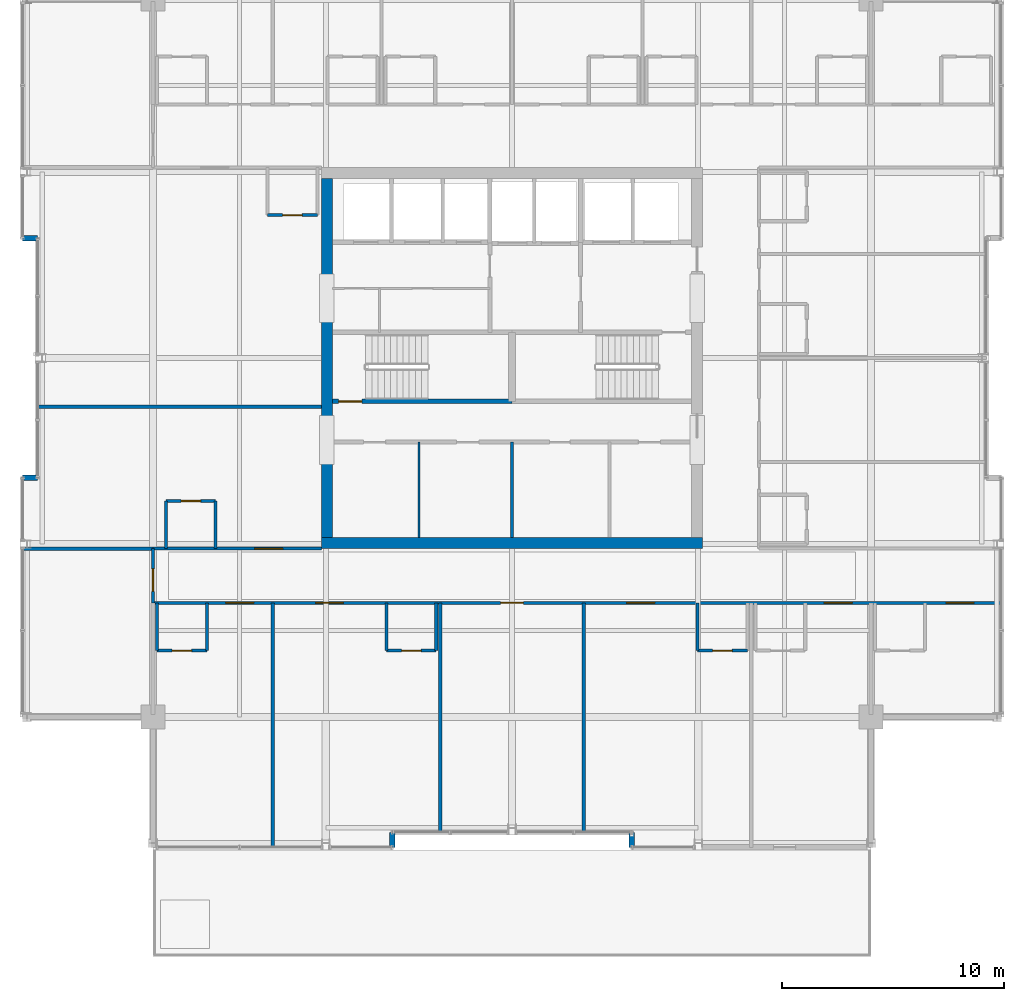
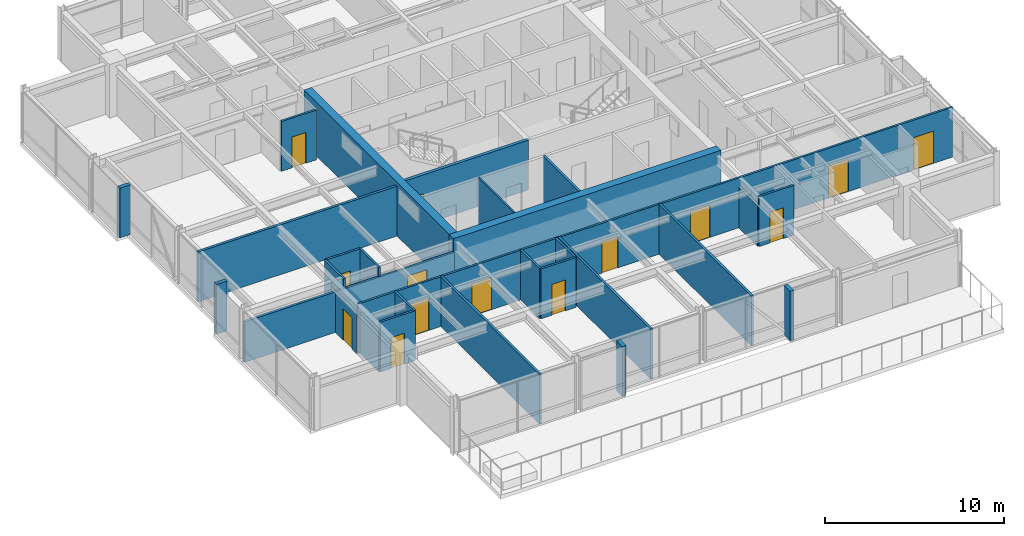
# One storey, part 25 of 32: 29 walls, 14 doors, 14 openings.
"""IFC4 building model written with IfcOpenShell, lengths in metres."""

import ifcopenshell
import ifcopenshell.guid

model = None  # the IFC model being written
_history = None  # IfcOwnerHistory: only IFC2X3 demands one
_inside = {}  # id of a spatial element -> (the spatial element, [elements in it])
_under = {}  # id of a project, library or spatial element -> (it, [spatial elements below it])
_declared = {}  # id of a project -> (the project, [libraries it declares])
_typed = {}  # id of a type object -> (the type object, [elements of that type])
_made_of = {}  # id of a material, layer set ... -> (it, [elements and type objects made of it])


def new_model(schema):
    """Start an empty IFC model of exactly this schema.

    Asked for "IFC4X3", IfcOpenShell would pick the latest addendum, in which some entities
    have other attributes; the version numbers below select the first issue.
    IFC2X3 requires an IfcOwnerHistory on every rooted entity: one is made here for all.
    """
    global model, _history
    if schema == "IFC4X3":
        model = ifcopenshell.file(schema_version=(4, 3, 0, 0))
    else:
        model = ifcopenshell.file(schema=schema)
    _inside.clear()
    _under.clear()
    _declared.clear()
    _typed.clear()
    _made_of.clear()
    _history = None
    if model.schema == "IFC2X3":
        org = make("IfcOrganization", Name="unknown")
        user = make(
            "IfcPersonAndOrganization",
            ThePerson=make("IfcPerson", FamilyName="unknown"),
            TheOrganization=org,
        )
        app = make(
            "IfcApplication",
            ApplicationDeveloper=org,
            Version="unknown",
            ApplicationFullName="unknown",
            ApplicationIdentifier="unknown",
        )
        _history = make(
            "IfcOwnerHistory",
            OwningUser=user,
            OwningApplication=app,
            ChangeAction="ADDED",
            CreationDate=0,
        )
    return model


def make(cls, **values):
    """One entity of the class cls with the attributes given. An attribute that is None is left unset."""
    return model.create_entity(
        cls, **{name: value for name, value in values.items() if value is not None}
    )


def rooted(cls, **values):
    """An entity with a GlobalId (a new one), such as an element, a storey or a relation."""
    return make(cls, GlobalId=ifcopenshell.guid.new(), OwnerHistory=_history, **values)


def si_unit(unit_type, name, prefix=None):
    """IfcSIUnit, for example si_unit("LENGTHUNIT", "METRE", prefix="MILLI")."""
    return make("IfcSIUnit", UnitType=unit_type, Prefix=prefix, Name=name)


def assignment(units):
    """IfcUnitAssignment: the units of a project."""
    return None if units is None else make("IfcUnitAssignment", Units=units)


def point(xyz):
    """IfcCartesianPoint."""
    return None if xyz is None else make("IfcCartesianPoint", Coordinates=xyz)


def direction(xyz):
    """IfcDirection."""
    return None if xyz is None else make("IfcDirection", DirectionRatios=xyz)


def frame(location, z_axis=None, x_axis=None):
    """IfcAxis2Placement3D, a coordinate frame: its origin and axes. An axis left out is left unset."""
    return make(
        "IfcAxis2Placement3D",
        Location=point(location),
        Axis=direction(z_axis),
        RefDirection=direction(x_axis),
    )


def frame_2d(location, x_axis=None):
    """IfcAxis2Placement2D, a coordinate frame in the plane: its origin and x axis."""
    return make(
        "IfcAxis2Placement2D", Location=point(location), RefDirection=direction(x_axis)
    )


def origin():
    """The frame at (0, 0, 0) with its axes left unset."""
    return frame((0.0, 0.0, 0.0))


def place(relative_to, where):
    """IfcLocalPlacement: puts the frame where relative to a parent placement (None: the world)."""
    return make(
        "IfcLocalPlacement", PlacementRelTo=relative_to, RelativePlacement=where
    )


def context(
    kind, dimensions, precision=None, world=None, true_north=None, identifier=None
):
    """IfcGeometricRepresentationContext, for example the 3D "Model" context."""
    return make(
        "IfcGeometricRepresentationContext",
        ContextIdentifier=identifier,
        ContextType=kind,
        CoordinateSpaceDimension=dimensions,
        Precision=precision,
        WorldCoordinateSystem=world,
        TrueNorth=true_north,
    )


def subcontext(parent, identifier, kind, view, scale=None):
    """IfcGeometricRepresentationSubContext, for example "Body" below "Model"."""
    return make(
        "IfcGeometricRepresentationSubContext",
        ContextIdentifier=identifier,
        ContextType=kind,
        ParentContext=parent,
        TargetScale=scale,
        TargetView=view,
    )


def project(units=None, contexts=None):
    """IfcProject with its units and contexts."""
    return rooted(
        "IfcProject",
        Name="project",
        RepresentationContexts=contexts,
        UnitsInContext=assignment(units),
    )


def spatial(cls, under=None, at=None, **own):
    """A site, building, storey or space (cls), placed at a placement, below another one or the project."""
    s = rooted(cls, ObjectPlacement=at, **own)
    if under is not None:
        _under.setdefault(under.id(), (under, []))[1].append(s)
    return s


def profile(cls, at=None, kind="AREA", **sizes):
    """A parametric profile (cls). Its sizes go by their IFC names, for example OverallWidth=200.0."""
    return make(cls, ProfileType=kind, Position=at, **sizes)


def rectangle(**sizes):
    """IfcRectangleProfileDef."""
    return profile("IfcRectangleProfileDef", **sizes)


def extrude(swept, where, along, depth):
    """IfcExtrudedAreaSolid: the profile swept, set in the frame where, extruded along a direction by depth."""
    return make(
        "IfcExtrudedAreaSolid",
        SweptArea=swept,
        Position=where,
        ExtrudedDirection=direction(along),
        Depth=depth,
    )


def shape(context_of_items, identifier, shape_type, items):
    """IfcShapeRepresentation: the items that make up one representation, for example the "Body"."""
    return make(
        "IfcShapeRepresentation",
        ContextOfItems=context_of_items,
        RepresentationIdentifier=identifier,
        RepresentationType=shape_type,
        Items=items,
    )


def material(Name=None, Category=None):
    """IfcMaterial."""
    return make("IfcMaterial", Name=Name, Category=Category)


def layer(
    of_material, thickness, ventilated=None, Name=None, Category=None, Priority=None
):
    """IfcMaterialLayer: one layer of a wall or slab, of a material (None: an air gap)."""
    return make(
        "IfcMaterialLayer",
        Material=of_material,
        LayerThickness=thickness,
        IsVentilated=ventilated,
        Name=Name,
        Category=Category,
        Priority=Priority,
    )


def layer_set(layers, Name=None):
    """IfcMaterialLayerSet."""
    return make("IfcMaterialLayerSet", MaterialLayers=layers, LayerSetName=Name)


def made_of(thing, what):
    """Note that an element or type object is made of a material, layer set ...; save() writes the relation."""
    if what is not None:
        _made_of.setdefault(what.id(), (what, []))[1].append(thing)
    return thing


def type_object(cls, material=None, **own):
    """A type object (cls), such as IfcWallType, which elements share."""
    return made_of(rooted(cls, **own), material)


def element(
    cls,
    number,
    at=None,
    inside=None,
    cuts=None,
    type_object=None,
    material=None,
    context=None,
    identifier="Body",
    shape_type=None,
    held_by="IfcProductDefinitionShape",
    body=None,
    shapes=None,
    **own,
):
    """One element of the class cls, such as IfcWall. Its Tag is "e" and its number.

    at: its placement. inside: the storey or other place that contains it. cuts: it is an
    opening in that element (IfcRelVoidsElement). A single representation is given by context,
    identifier, shape_type and body (its items); several are given by shapes. held_by: the class
    of the entity that holds the representations. save() writes the other relations.
    """
    e = rooted(cls, Tag="e%d" % number, ObjectPlacement=at, **own)
    if body is not None:
        shapes = [shape(context, identifier, shape_type, body)]
    if shapes is not None:
        e.Representation = make(held_by, Representations=shapes)
    if inside is not None:
        _inside.setdefault(inside.id(), (inside, []))[1].append(e)
    if cuts is not None:
        rooted(
            "IfcRelVoidsElement", RelatingBuildingElement=cuts, RelatedOpeningElement=e
        )
    if type_object is not None:
        _typed.setdefault(type_object.id(), (type_object, []))[1].append(e)
    return made_of(e, material)


def fill(opening, filler):
    """IfcRelFillsElement: the door or window that sits in an opening."""
    return rooted(
        "IfcRelFillsElement",
        RelatingOpeningElement=opening,
        RelatedBuildingElement=filler,
    )


def aggregate(whole, parts):
    """IfcRelAggregates: a whole, such as a stair, and the parts it consists of."""
    return rooted("IfcRelAggregates", RelatingObject=whole, RelatedObjects=parts)


def save(model, path):
    """Write the relations noted so far, then the file.

    IfcRelAggregates (storeys below a building ...), IfcRelContainedInSpatialStructure (elements
    in a storey), IfcRelDefinesByType, IfcRelAssociatesMaterial and IfcRelDeclares: one each for
    every whole, place, type object, material and project.
    """
    for whole, parts in _under.values():
        aggregate(whole, parts)
    for where, things in _inside.values():
        rooted(
            "IfcRelContainedInSpatialStructure",
            RelatedElements=things,
            RelatingStructure=where,
        )
    for kind, things in _typed.values():
        rooted("IfcRelDefinesByType", RelatedObjects=things, RelatingType=kind)
    for what, things in _made_of.values():
        rooted("IfcRelAssociatesMaterial", RelatedObjects=things, RelatingMaterial=what)
    for by, libraries in _declared.values():
        rooted("IfcRelDeclares", RelatingContext=by, RelatedDefinitions=libraries)
    model.write(path)


model = new_model("IFC4")

# Units and contexts
model_context = context("Model", 3, precision=1e-05, world=origin(), true_north=direction((0.0, 1.0)))
body_context = subcontext(model_context, "Body", "Model", "MODEL_VIEW")
ifc_project = project(units=[si_unit("LENGTHUNIT", "METRE"), si_unit("AREAUNIT", "SQUARE_METRE"), si_unit("VOLUMEUNIT", "CUBIC_METRE"), si_unit("PLANEANGLEUNIT", "RADIAN"), si_unit("MASSUNIT", "GRAM", prefix="KILO")], contexts=[model_context])

# Site, building, storey
site_placement = place(None, origin())
site = spatial("IfcSite", under=ifc_project, at=site_placement, CompositionType="ELEMENT")
building_placement = place(site_placement, origin())
building = spatial("IfcBuilding", under=site, at=building_placement, Name="Drelvath Grand Hotel", CompositionType="ELEMENT")
storey_placement = place(building_placement, frame((0.0, 0.0, 265.0)))
storey = spatial("IfcBuildingStorey", under=building, at=storey_placement, Name="L69", CompositionType="ELEMENT", Elevation=265.0)

# Wall
ifc_material_1 = material(Name="Gypsum Partition Board")
ifc_layer_1 = layer(ifc_material_1, 0.10009765625)
ifc_layer_set_1 = layer_set([ifc_layer_1], Name="Gypsum Partition Board")
wall_type_1 = type_object("IfcWallType", Name="Core Closet Partition 100", PredefinedType="PARTITIONING", material=ifc_layer_set_1)
wall_1_placement = place(storey_placement, frame((-4.199951171875, 18.89990234375, 0.0), z_axis=(0.0, 0.0, 1.0), x_axis=(0.0, 1.0, 0.0)))
element("IfcWall", 1, at=wall_1_placement, inside=storey, type_object=wall_type_1, Name="L69 Upper Core Split 2A", PredefinedType="PARTITIONING", context=body_context, shape_type="SweptSolid", body=[
    extrude(rectangle(XDim=4.300048828125, YDim=0.10009765625, at=frame_2d((2.14990234375, 0.0))), origin(), (0.0, 0.0, 1.0), 3.389892578125),
])

# Wall, opening, door
ifc_material_2 = material(Name="Concrete C40/50", Category="concrete")
ifc_layer_2 = layer(ifc_material_2, 0.199951171875)
ifc_layer_set_2 = layer_set([ifc_layer_2], Name="Concrete C40/50")
wall_type_2 = type_object("IfcWallType", Name="Core Shaft Fire Wall 200", PredefinedType="SOLIDWALL", material=ifc_layer_set_2)
wall_2_placement = place(storey_placement, frame((-8.10009765625, 25.0400390625, 0.0), z_axis=(0.0, 0.0, 1.0), x_axis=(1.0, 0.0, 0.0)))
wall_2 = element("IfcWall", 2, at=wall_2_placement, inside=storey, type_object=wall_type_2, Name="L69 Stair ST-1 South Wall", PredefinedType="SOLIDWALL", context=body_context, shape_type="SweptSolid", body=[
    extrude(rectangle(XDim=8.10009765625, YDim=0.199951171875, at=frame_2d((4.050048828125, 0.0))), origin(), (0.0, 0.0, 1.0), 3.389892578125),
])
opening_1_placement = place(wall_2_placement, frame((0.280029296875, 0.0, 0.0)))
opening_1 = element("IfcOpeningElement", 3, at=opening_1_placement, cuts=wall_2, Name="Opening D-T5G1-001", PredefinedType="OPENING", context=body_context, shape_type="SweptSolid", body=[
    extrude(rectangle(XDim=1.050048828125, YDim=2.10009765625, at=frame_2d((0.52490234375, 1.050048828125))), frame((0.0, 0.10986328125, 0.0), z_axis=(0.0, -1.0, 0.0), x_axis=(1.0, 0.0, 0.0)), (0.0, 0.0, 1.0), 0.219970703125),
])
ifc_material_3 = material(Name="Painted Steel S275", Category="steel")
door_type_1 = type_object("IfcDoorType", Name="Tower Stairwell Fire Door 1050x2100", OperationType="NOTDEFINED", PredefinedType="DOOR", material=ifc_material_3)
door_1_placement = place(opening_1_placement, origin())
door_1 = element("IfcDoor", 4, at=door_1_placement, inside=storey, type_object=door_type_1, Name="L69 Exit Stair ST-1 Door", OperationType="SINGLE_SWING_LEFT", OverallHeight=2.10009765625, OverallWidth=1.050048828125, PredefinedType="DOOR", context=body_context, shape_type="SweptSolid", body=[
    extrude(rectangle(XDim=1.050048828125, YDim=2.10009765625, at=frame_2d((0.52490234375, 1.050048828125))), frame((0.0, 0.02490234375, 0.0), z_axis=(0.0, -1.0, 0.0), x_axis=(1.0, 0.0, 0.0)), (0.0, 0.0, 1.0), 0.050048828125),
])
fill(opening_1, door_1)

# Wall, openings, doors
ifc_material_4 = material(Name="Gypsum Fireboard Partition")
ifc_layer_3 = layer(ifc_material_4, 0.135009765625)
ifc_layer_set_3 = layer_set([ifc_layer_3], Name="Gypsum Fireboard Partition")
wall_type_3 = type_object("IfcWallType", Name="Corridor Fire Barrier Wall 135", PredefinedType="PARTITIONING", material=ifc_layer_set_3)
wall_3_placement = place(storey_placement, frame((-16.199951171875, 15.949951171875, 0.0), z_axis=(0.0, 0.0, 1.0), x_axis=(1.0, 0.0, 0.0)))
wall_3 = element("IfcWall", 5, at=wall_3_placement, inside=storey, type_object=wall_type_3, Name="L69 South Cross-Gallery Wall", PredefinedType="PARTITIONING", context=body_context, shape_type="SweptSolid", body=[
    extrude(rectangle(XDim=38.280029296875, YDim=0.135009765625, at=frame_2d((19.14013671875, 0.0))), origin(), (0.0, 0.0, 1.0), 3.389892578125),
])
opening_2_placement = place(wall_3_placement, frame((35.784912109375, 0.0, 0.0)))
opening_2 = element("IfcOpeningElement", 6, at=opening_2_placement, cuts=wall_3, Name="Opening D-T5G1-023", PredefinedType="OPENING", context=body_context, shape_type="SweptSolid", body=[
    extrude(rectangle(XDim=1.260009765625, YDim=2.199951171875, at=frame_2d((0.6298828125, 1.10009765625))), frame((0.0, 0.077392578125, 0.0), z_axis=(0.0, -1.0, 0.0), x_axis=(1.0, 0.0, 0.0)), (0.0, 0.0, 1.0), 0.155029296875),
])
opening_3_placement = place(wall_3_placement, frame((3.284912109375, 0.0, 0.0)))
opening_3 = element("IfcOpeningElement", 7, at=opening_3_placement, cuts=wall_3, Name="Opening D-T5G1-027", PredefinedType="OPENING", context=body_context, shape_type="SweptSolid", body=[
    extrude(rectangle(XDim=1.260009765625, YDim=2.199951171875, at=frame_2d((0.6298828125, 1.10009765625))), frame((0.0, 0.077392578125, 0.0), z_axis=(0.0, -1.0, 0.0), x_axis=(1.0, 0.0, 0.0)), (0.0, 0.0, 1.0), 0.155029296875),
])
opening_4_placement = place(wall_3_placement, frame((7.3349609375, 0.0, 0.0)))
opening_4 = element("IfcOpeningElement", 8, at=opening_4_placement, cuts=wall_3, Name="Opening D-T5G1-029", PredefinedType="OPENING", context=body_context, shape_type="SweptSolid", body=[
    extrude(rectangle(XDim=1.260009765625, YDim=2.199951171875, at=frame_2d((0.6298828125, 1.10009765625))), frame((0.0, 0.077392578125, 0.0), z_axis=(0.0, -1.0, 0.0), x_axis=(1.0, 0.0, 0.0)), (0.0, 0.0, 1.0), 0.155029296875),
])
opening_5_placement = place(wall_3_placement, frame((15.68994140625, 0.0, 0.0)))
opening_5 = element("IfcOpeningElement", 9, at=opening_5_placement, cuts=wall_3, Name="Opening D-T5G1-030", PredefinedType="OPENING", context=body_context, shape_type="SweptSolid", body=[
    extrude(rectangle(XDim=1.02001953125, YDim=2.14990234375, at=frame_2d((0.510009765625, 1.074951171875))), frame((0.0, 0.077392578125, 0.0), z_axis=(0.0, -1.0, 0.0), x_axis=(1.0, 0.0, 0.0)), (0.0, 0.0, 1.0), 0.155029296875),
])
opening_6_placement = place(wall_3_placement, frame((21.375, 0.0, 0.0)))
opening_6 = element("IfcOpeningElement", 10, at=opening_6_placement, cuts=wall_3, Name="Opening D-T5G1-032", PredefinedType="OPENING", context=body_context, shape_type="SweptSolid", body=[
    extrude(rectangle(XDim=1.260009765625, YDim=2.199951171875, at=frame_2d((0.6298828125, 1.10009765625))), frame((0.0, 0.077392578125, 0.0), z_axis=(0.0, -1.0, 0.0), x_axis=(1.0, 0.0, 0.0)), (0.0, 0.0, 1.0), 0.155029296875),
])
opening_7_placement = place(wall_3_placement, frame((30.284912109375, 0.0, 0.0)))
opening_7 = element("IfcOpeningElement", 11, at=opening_7_placement, cuts=wall_3, Name="Opening D-T5G1-034", PredefinedType="OPENING", context=body_context, shape_type="SweptSolid", body=[
    extrude(rectangle(XDim=1.260009765625, YDim=2.199951171875, at=frame_2d((0.6298828125, 1.10009765625))), frame((0.0, 0.077392578125, 0.0), z_axis=(0.0, -1.0, 0.0), x_axis=(1.0, 0.0, 0.0)), (0.0, 0.0, 1.0), 0.155029296875),
])
ifc_material_5 = material(Name="Hardwood Walnut Timber", Category="wood")
door_type_2 = type_object("IfcDoorType", Name="Amenity Meeting Fire Door 1020x2150", OperationType="NOTDEFINED", PredefinedType="DOOR", material=ifc_material_5)
door_2_placement = place(opening_5_placement, origin())
door_2 = element("IfcDoor", 12, at=door_2_placement, inside=storey, type_object=door_type_2, Name="L69 Royal Sky Lounge Entry Door", OperationType="SINGLE_SWING_LEFT", OverallHeight=2.14990234375, OverallWidth=1.02001953125, PredefinedType="DOOR", context=body_context, shape_type="SweptSolid", body=[
    extrude(rectangle(XDim=1.02001953125, YDim=2.14990234375, at=frame_2d((0.510009765625, 1.074951171875))), frame((0.0, 0.02490234375, 0.0), z_axis=(0.0, -1.0, 0.0), x_axis=(1.0, 0.0, 0.0)), (0.0, 0.0, 1.0), 0.050048828125),
])
fill(opening_5, door_2)
door_type_3 = type_object("IfcDoorType", Name="Suite Entrance Fire Door 1260x2200", OperationType="NOTDEFINED", PredefinedType="DOOR", material=ifc_material_5)
door_3_placement = place(opening_2_placement, origin())
door_3 = element("IfcDoor", 13, at=door_3_placement, inside=storey, type_object=door_type_3, Name="L69 Royal Suite Entry Door", OperationType="SINGLE_SWING_RIGHT", OverallHeight=2.199951171875, OverallWidth=1.260009765625, PredefinedType="DOOR", context=body_context, shape_type="SweptSolid", body=[
    extrude(rectangle(XDim=1.260009765625, YDim=2.199951171875, at=frame_2d((0.6298828125, 1.10009765625))), frame((0.0, 0.02490234375, 0.0), z_axis=(0.0, -1.0, 0.0), x_axis=(1.0, 0.0, 0.0)), (0.0, 0.0, 1.0), 0.050048828125),
])
fill(opening_2, door_3)
door_4_placement = place(opening_3_placement, origin())
door_4 = element("IfcDoor", 14, at=door_4_placement, inside=storey, type_object=door_type_3, Name="L69 Royal Suite Entry Door", OperationType="SINGLE_SWING_RIGHT", OverallHeight=2.199951171875, OverallWidth=1.260009765625, PredefinedType="DOOR", context=body_context, shape_type="SweptSolid", body=[
    extrude(rectangle(XDim=1.260009765625, YDim=2.199951171875, at=frame_2d((0.6298828125, 1.10009765625))), frame((0.0, 0.02490234375, 0.0), z_axis=(0.0, -1.0, 0.0), x_axis=(1.0, 0.0, 0.0)), (0.0, 0.0, 1.0), 0.050048828125),
])
fill(opening_3, door_4)
door_5_placement = place(opening_4_placement, origin())
door_5 = element("IfcDoor", 15, at=door_5_placement, inside=storey, type_object=door_type_3, Name="L69 Royal Suite Entry Door", OperationType="SINGLE_SWING_RIGHT", OverallHeight=2.199951171875, OverallWidth=1.260009765625, PredefinedType="DOOR", context=body_context, shape_type="SweptSolid", body=[
    extrude(rectangle(XDim=1.260009765625, YDim=2.199951171875, at=frame_2d((0.6298828125, 1.10009765625))), frame((0.0, 0.02490234375, 0.0), z_axis=(0.0, -1.0, 0.0), x_axis=(1.0, 0.0, 0.0)), (0.0, 0.0, 1.0), 0.050048828125),
])
fill(opening_4, door_5)
door_6_placement = place(opening_6_placement, origin())
door_6 = element("IfcDoor", 16, at=door_6_placement, inside=storey, type_object=door_type_3, Name="L69 Royal Suite Entry Door", OperationType="SINGLE_SWING_LEFT", OverallHeight=2.199951171875, OverallWidth=1.260009765625, PredefinedType="DOOR", context=body_context, shape_type="SweptSolid", body=[
    extrude(rectangle(XDim=1.260009765625, YDim=2.199951171875, at=frame_2d((0.6298828125, 1.10009765625))), frame((0.0, 0.02490234375, 0.0), z_axis=(0.0, -1.0, 0.0), x_axis=(1.0, 0.0, 0.0)), (0.0, 0.0, 1.0), 0.050048828125),
])
fill(opening_6, door_6)
door_7_placement = place(opening_7_placement, origin())
door_7 = element("IfcDoor", 17, at=door_7_placement, inside=storey, type_object=door_type_3, Name="L69 Royal Suite Entry Door", OperationType="SINGLE_SWING_LEFT", OverallHeight=2.199951171875, OverallWidth=1.260009765625, PredefinedType="DOOR", context=body_context, shape_type="SweptSolid", body=[
    extrude(rectangle(XDim=1.260009765625, YDim=2.199951171875, at=frame_2d((0.6298828125, 1.10009765625))), frame((0.0, 0.02490234375, 0.0), z_axis=(0.0, -1.0, 0.0), x_axis=(1.0, 0.0, 0.0)), (0.0, 0.0, 1.0), 0.050048828125),
])
fill(opening_7, door_7)

# Wall, opening, door
wall_4_placement = place(storey_placement, frame((-16.199951171875, 18.39990234375, 0.0), z_axis=(0.0, 0.0, 1.0), x_axis=(1.0, 0.0, 0.0)))
wall_4 = element("IfcWall", 18, at=wall_4_placement, inside=storey, type_object=wall_type_3, Name="L69 South Gallery Inner West Wall", PredefinedType="PARTITIONING", context=body_context, shape_type="SweptSolid", body=[
    extrude(rectangle(XDim=7.599853515625, YDim=0.135009765625, at=frame_2d((3.7998046875, 0.0))), origin(), (0.0, 0.0, 1.0), 2.767333984375),
])
opening_8_placement = place(wall_4_placement, frame((4.5849609375, 0.0, 0.0)))
opening_8 = element("IfcOpeningElement", 19, at=opening_8_placement, cuts=wall_4, Name="Opening D-T5G1-055", PredefinedType="OPENING", context=body_context, shape_type="SweptSolid", body=[
    extrude(rectangle(XDim=1.260009765625, YDim=2.199951171875, at=frame_2d((0.6298828125, 1.10009765625))), frame((0.0, 0.077392578125, 0.0), z_axis=(0.0, -1.0, 0.0), x_axis=(1.0, 0.0, 0.0)), (0.0, 0.0, 1.0), 0.155029296875),
])
door_8_placement = place(opening_8_placement, origin())
door_8 = element("IfcDoor", 20, at=door_8_placement, inside=storey, type_object=door_type_3, Name="L69 Royal Suite Entry Door", OperationType="SINGLE_SWING_RIGHT", OverallHeight=2.199951171875, OverallWidth=1.260009765625, PredefinedType="DOOR", context=body_context, shape_type="SweptSolid", body=[
    extrude(rectangle(XDim=1.260009765625, YDim=2.199951171875, at=frame_2d((0.6298828125, 1.10009765625))), frame((0.0, 0.02490234375, 0.0), z_axis=(0.0, -1.0, 0.0), x_axis=(1.0, 0.0, 0.0)), (0.0, 0.0, 1.0), 0.050048828125),
])
fill(opening_8, door_8)

wall_5_placement = place(storey_placement, frame((-16.199951171875, 15.949951171875, 0.0), z_axis=(0.0, 0.0, 1.0), x_axis=(0.0, 1.0, 0.0)))
wall_5 = element("IfcWall", 21, at=wall_5_placement, inside=storey, type_object=wall_type_3, Name="L69 South Gallery West End", PredefinedType="PARTITIONING", context=body_context, shape_type="SweptSolid", body=[
    extrude(rectangle(XDim=2.449951171875, YDim=0.135009765625, at=frame_2d((1.22509765625, 0.0))), origin(), (0.0, 0.0, 1.0), 2.763916015625),
])
opening_9_placement = place(wall_5_placement, frame((0.52001953125, 0.0, 0.0)))
opening_9 = element("IfcOpeningElement", 22, at=opening_9_placement, cuts=wall_5, Name="Opening D-T5G1-020", PredefinedType="OPENING", context=body_context, shape_type="SweptSolid", body=[
    extrude(rectangle(XDim=1.02001953125, YDim=2.14990234375, at=frame_2d((0.510009765625, 1.074951171875))), frame((0.0, 0.077392578125, 0.0), z_axis=(0.0, -1.0, 0.0), x_axis=(1.0, 0.0, 0.0)), (0.0, 0.0, 1.0), 0.155029296875),
])
door_9_placement = place(opening_9_placement, origin())
door_9 = element("IfcDoor", 23, at=door_9_placement, inside=storey, type_object=door_type_2, Name="L69 Corner Panorama Lounge Door", OperationType="SINGLE_SWING_LEFT", OverallHeight=2.14990234375, OverallWidth=1.02001953125, PredefinedType="DOOR", context=body_context, shape_type="SweptSolid", body=[
    extrude(rectangle(XDim=1.02001953125, YDim=2.14990234375, at=frame_2d((0.510009765625, 1.074951171875))), frame((0.0, 0.02490234375, 0.0), z_axis=(0.0, -1.0, 0.0), x_axis=(1.0, 0.0, 0.0)), (0.0, 0.0, 1.0), 0.050048828125),
])
fill(opening_9, door_9)

# Walls
ifc_material_6 = material(Name="Moisture-Resistant Gypsum Board")
ifc_layer_4 = layer(ifc_material_6, 0.139892578125)
ifc_layer_set_4 = layer_set([ifc_layer_4], Name="Moisture-Resistant Gypsum Board")
wall_type_4 = type_object("IfcWallType", Name="En-Suite Plumbing Wall 140", PredefinedType="PLUMBINGWALL", material=ifc_layer_set_4)
wall_6_placement = place(storey_placement, frame((0.0, 18.89990234375, 0.0), z_axis=(0.0, 0.0, 1.0), x_axis=(0.0, 1.0, 0.0)))
element("IfcWall", 24, at=wall_6_placement, inside=storey, type_object=wall_type_4, Name="L69 Upper Core Split 2B", PredefinedType="PLUMBINGWALL", context=body_context, shape_type="SweptSolid", body=[
    extrude(rectangle(XDim=4.300048828125, YDim=0.139892578125, at=frame_2d((2.14990234375, 0.0))), origin(), (0.0, 0.0, 1.0), 3.389892578125),
])
wall_7_placement = place(storey_placement, frame((-16.02001953125, 15.949951171875, 0.0), z_axis=(0.0, 0.0, 1.0), x_axis=(0.0, -1.0, 0.0)))
element("IfcWall", 25, at=wall_7_placement, inside=storey, type_object=wall_type_4, Name="L69 En-Suite Left Wall", PredefinedType="PLUMBINGWALL", context=body_context, shape_type="SweptSolid", body=[
    extrude(rectangle(XDim=2.14990234375, YDim=0.139892578125, at=frame_2d((1.074951171875, 0.0))), origin(), (0.0, 0.0, 1.0), 2.763916015625),
])
wall_8_placement = place(storey_placement, frame((-13.77001953125, 15.949951171875, 0.0), z_axis=(0.0, 0.0, 1.0), x_axis=(0.0, -1.0, 0.0)))
element("IfcWall", 26, at=wall_8_placement, inside=storey, type_object=wall_type_4, Name="L69 En-Suite Right Wall", PredefinedType="PLUMBINGWALL", context=body_context, shape_type="SweptSolid", body=[
    extrude(rectangle(XDim=2.14990234375, YDim=0.139892578125, at=frame_2d((1.074951171875, 0.0))), origin(), (0.0, 0.0, 1.0), 3.389892578125),
])

# Wall, opening, door
wall_9_placement = place(storey_placement, frame((-16.02001953125, 13.800048828125, 0.0), z_axis=(0.0, 0.0, 1.0), x_axis=(1.0, 0.0, 0.0)))
wall_9 = element("IfcWall", 27, at=wall_9_placement, inside=storey, type_object=wall_type_4, Name="L69 En-Suite Front Wall", PredefinedType="PLUMBINGWALL", context=body_context, shape_type="SweptSolid", body=[
    extrude(rectangle(XDim=2.25, YDim=0.139892578125, at=frame_2d((1.125, 0.0))), origin(), (0.0, 0.0, 1.0), 3.389892578125),
])
opening_10_placement = place(wall_9_placement, frame((0.68505859375, 0.0, 0.0)))
opening_10 = element("IfcOpeningElement", 28, at=opening_10_placement, cuts=wall_9, Name="Opening D-T5G1-026", PredefinedType="OPENING", context=body_context, shape_type="SweptSolid", body=[
    extrude(rectangle(XDim=0.8798828125, YDim=2.10009765625, at=frame_2d((0.43994140625, 1.050048828125))), frame((0.0, 0.079833984375, 0.0), z_axis=(0.0, -1.0, 0.0), x_axis=(1.0, 0.0, 0.0)), (0.0, 0.0, 1.0), 0.159912109375),
])
door_type_4 = type_object("IfcDoorType", Name="En-Suite Bathroom Door 880x2100", OperationType="NOTDEFINED", PredefinedType="DOOR", material=ifc_material_5)
door_10_placement = place(opening_10_placement, origin())
door_10 = element("IfcDoor", 29, at=door_10_placement, inside=storey, type_object=door_type_4, Name="L69 En-Suite Bathroom Door", OperationType="SINGLE_SWING_LEFT", OverallHeight=2.10009765625, OverallWidth=0.8798828125, PredefinedType="DOOR", context=body_context, shape_type="SweptSolid", body=[
    extrude(rectangle(XDim=0.8798828125, YDim=2.10009765625, at=frame_2d((0.43994140625, 1.050048828125))), frame((0.0, 0.02490234375, 0.0), z_axis=(0.0, -1.0, 0.0), x_axis=(1.0, 0.0, 0.0)), (0.0, 0.0, 1.0), 0.050048828125),
])
fill(opening_10, door_10)

# Walls
for number, where, z_axis, x_axis, name in (
    (30, (-5.669921875, 15.949951171875, 0.0), (0.0, 0.0, 1.0), (0.0, -1.0, 0.0), "L69 En-Suite Left Wall"),
    (31, (-3.419921875, 15.949951171875, 0.0), (0.0, 0.0, 1.0), (0.0, -1.0, 0.0), "L69 En-Suite Right Wall"),
):
    element("IfcWall", number, at=place(storey_placement, frame(where, z_axis=z_axis, x_axis=x_axis)), inside=storey, type_object=wall_type_4, Name=name, PredefinedType="PLUMBINGWALL", context=body_context, shape_type="SweptSolid", body=[
        extrude(rectangle(XDim=2.14990234375, YDim=0.139892578125, at=frame_2d((1.074951171875, 0.0))), origin(), (0.0, 0.0, 1.0), 3.389892578125),
    ])

# Wall, opening, door
wall_10_placement = place(storey_placement, frame((-5.669921875, 13.800048828125, 0.0), z_axis=(0.0, 0.0, 1.0), x_axis=(1.0, 0.0, 0.0)))
wall_10 = element("IfcWall", 32, at=wall_10_placement, inside=storey, type_object=wall_type_4, Name="L69 En-Suite Front Wall", PredefinedType="PLUMBINGWALL", context=body_context, shape_type="SweptSolid", body=[
    extrude(rectangle(XDim=2.25, YDim=0.139892578125, at=frame_2d((1.125, 0.0))), origin(), (0.0, 0.0, 1.0), 3.389892578125),
])
opening_11_placement = place(wall_10_placement, frame((0.68505859375, 0.0, 0.0)))
opening_11 = element("IfcOpeningElement", 33, at=opening_11_placement, cuts=wall_10, Name="Opening D-T5G1-028", PredefinedType="OPENING", context=body_context, shape_type="SweptSolid", body=[
    extrude(rectangle(XDim=0.8798828125, YDim=2.10009765625, at=frame_2d((0.43994140625, 1.050048828125))), frame((0.0, 0.079833984375, 0.0), z_axis=(0.0, -1.0, 0.0), x_axis=(1.0, 0.0, 0.0)), (0.0, 0.0, 1.0), 0.159912109375),
])
door_11_placement = place(opening_11_placement, origin())
door_11 = element("IfcDoor", 34, at=door_11_placement, inside=storey, type_object=door_type_4, Name="L69 En-Suite Bathroom Door", OperationType="SINGLE_SWING_LEFT", OverallHeight=2.10009765625, OverallWidth=0.8798828125, PredefinedType="DOOR", context=body_context, shape_type="SweptSolid", body=[
    extrude(rectangle(XDim=0.8798828125, YDim=2.10009765625, at=frame_2d((0.43994140625, 1.050048828125))), frame((0.0, 0.02490234375, 0.0), z_axis=(0.0, -1.0, 0.0), x_axis=(1.0, 0.0, 0.0)), (0.0, 0.0, 1.0), 0.050048828125),
])
fill(opening_11, door_11)

# Wall
wall_11_placement = place(storey_placement, frame((8.3701171875, 15.949951171875, 0.0), z_axis=(0.0, 0.0, 1.0), x_axis=(0.0, -1.0, 0.0)))
element("IfcWall", 35, at=wall_11_placement, inside=storey, type_object=wall_type_4, Name="L69 En-Suite Left Wall", PredefinedType="PLUMBINGWALL", context=body_context, shape_type="SweptSolid", body=[
    extrude(rectangle(XDim=2.14990234375, YDim=0.139892578125, at=frame_2d((1.074951171875, 0.0))), origin(), (0.0, 0.0, 1.0), 2.767333984375),
])

# Wall, opening, door
wall_12_placement = place(storey_placement, frame((8.3701171875, 13.800048828125, 0.0), z_axis=(0.0, 0.0, 1.0), x_axis=(1.0, 0.0, 0.0)))
wall_12 = element("IfcWall", 36, at=wall_12_placement, inside=storey, type_object=wall_type_4, Name="L69 En-Suite Front Wall", PredefinedType="PLUMBINGWALL", context=body_context, shape_type="SweptSolid", body=[
    extrude(rectangle(XDim=2.25, YDim=0.139892578125, at=frame_2d((1.125, 0.0))), origin(), (0.0, 0.0, 1.0), 3.389892578125),
])
opening_12_placement = place(wall_12_placement, frame((0.68505859375, 0.0, 0.0)))
opening_12 = element("IfcOpeningElement", 37, at=opening_12_placement, cuts=wall_12, Name="Opening D-T5G1-031", PredefinedType="OPENING", context=body_context, shape_type="SweptSolid", body=[
    extrude(rectangle(XDim=0.8798828125, YDim=2.10009765625, at=frame_2d((0.43994140625, 1.050048828125))), frame((0.0, 0.079833984375, 0.0), z_axis=(0.0, -1.0, 0.0), x_axis=(1.0, 0.0, 0.0)), (0.0, 0.0, 1.0), 0.159912109375),
])
door_12_placement = place(opening_12_placement, origin())
door_12 = element("IfcDoor", 38, at=door_12_placement, inside=storey, type_object=door_type_4, Name="L69 En-Suite Bathroom Door", OperationType="SINGLE_SWING_RIGHT", OverallHeight=2.10009765625, OverallWidth=0.8798828125, PredefinedType="DOOR", context=body_context, shape_type="SweptSolid", body=[
    extrude(rectangle(XDim=0.8798828125, YDim=2.10009765625, at=frame_2d((0.43994140625, 1.050048828125))), frame((0.0, 0.02490234375, 0.0), z_axis=(0.0, -1.0, 0.0), x_axis=(1.0, 0.0, 0.0)), (0.0, 0.0, 1.0), 0.050048828125),
])
fill(opening_12, door_12)

# Walls
for number, where, z_axis, x_axis, name in (
    (39, (-15.6201171875, 18.39990234375, 0.0), (0.0, 0.0, 1.0), (0.0, 1.0, 0.0), "L69 En-Suite Left Wall"),
    (40, (-13.3701171875, 18.39990234375, 0.0), (0.0, 0.0, 1.0), (0.0, 1.0, 0.0), "L69 En-Suite Right Wall"),
):
    element("IfcWall", number, at=place(storey_placement, frame(where, z_axis=z_axis, x_axis=x_axis)), inside=storey, type_object=wall_type_4, Name=name, PredefinedType="PLUMBINGWALL", context=body_context, shape_type="SweptSolid", body=[
        extrude(rectangle(XDim=2.150146484375, YDim=0.139892578125, at=frame_2d((1.0751953125, 0.0))), origin(), (0.0, 0.0, 1.0), 3.389892578125),
    ])

# Wall, opening, door
wall_13_placement = place(storey_placement, frame((-15.6201171875, 20.550048828125, 0.0), z_axis=(0.0, 0.0, 1.0), x_axis=(1.0, 0.0, 0.0)))
wall_13 = element("IfcWall", 41, at=wall_13_placement, inside=storey, type_object=wall_type_4, Name="L69 En-Suite Front Wall", PredefinedType="PLUMBINGWALL", context=body_context, shape_type="SweptSolid", body=[
    extrude(rectangle(XDim=2.25, YDim=0.139892578125, at=frame_2d((1.125, 0.0))), origin(), (0.0, 0.0, 1.0), 3.389892578125),
])
opening_13_placement = place(wall_13_placement, frame((0.68505859375, 0.0, 0.0)))
opening_13 = element("IfcOpeningElement", 42, at=opening_13_placement, cuts=wall_13, Name="Opening D-T5G1-054", PredefinedType="OPENING", context=body_context, shape_type="SweptSolid", body=[
    extrude(rectangle(XDim=0.8798828125, YDim=2.10009765625, at=frame_2d((0.43994140625, 1.050048828125))), frame((0.0, 0.079833984375, 0.0), z_axis=(0.0, -1.0, 0.0), x_axis=(1.0, 0.0, 0.0)), (0.0, 0.0, 1.0), 0.159912109375),
])
door_13_placement = place(opening_13_placement, origin())
door_13 = element("IfcDoor", 43, at=door_13_placement, inside=storey, type_object=door_type_4, Name="L69 En-Suite Bathroom Door", OperationType="SINGLE_SWING_LEFT", OverallHeight=2.10009765625, OverallWidth=0.8798828125, PredefinedType="DOOR", context=body_context, shape_type="SweptSolid", body=[
    extrude(rectangle(XDim=0.8798828125, YDim=2.10009765625, at=frame_2d((0.43994140625, 1.050048828125))), frame((0.0, 0.02490234375, 0.0), z_axis=(0.0, -1.0, 0.0), x_axis=(1.0, 0.0, 0.0)), (0.0, 0.0, 1.0), 0.050048828125),
])
fill(opening_13, door_13)

wall_14_placement = place(storey_placement, frame((-11.030029296875, 33.449951171875, 0.0), z_axis=(0.0, 0.0, 1.0), x_axis=(1.0, 0.0, 0.0)))
wall_14 = element("IfcWall", 44, at=wall_14_placement, inside=storey, type_object=wall_type_4, Name="L69 En-Suite Front Wall", PredefinedType="PLUMBINGWALL", context=body_context, shape_type="SweptSolid", body=[
    extrude(rectangle(XDim=2.25, YDim=0.139892578125, at=frame_2d((1.125, 0.0))), origin(), (0.0, 0.0, 1.0), 3.389892578125),
])
opening_14_placement = place(wall_14_placement, frame((0.68505859375, 0.0, 0.0)))
opening_14 = element("IfcOpeningElement", 45, at=opening_14_placement, cuts=wall_14, Name="Opening D-T5G1-056", PredefinedType="OPENING", context=body_context, shape_type="SweptSolid", body=[
    extrude(rectangle(XDim=0.8798828125, YDim=2.10009765625, at=frame_2d((0.43994140625, 1.050048828125))), frame((0.0, 0.079833984375, 0.0), z_axis=(0.0, -1.0, 0.0), x_axis=(1.0, 0.0, 0.0)), (0.0, 0.0, 1.0), 0.159912109375),
])
door_14_placement = place(opening_14_placement, origin())
door_14 = element("IfcDoor", 46, at=door_14_placement, inside=storey, type_object=door_type_4, Name="L69 En-Suite Bathroom Door", OperationType="SINGLE_SWING_LEFT", OverallHeight=2.10009765625, OverallWidth=0.8798828125, PredefinedType="DOOR", context=body_context, shape_type="SweptSolid", body=[
    extrude(rectangle(XDim=0.8798828125, YDim=2.10009765625, at=frame_2d((0.43994140625, 1.050048828125))), frame((0.0, 0.02490234375, 0.0), z_axis=(0.0, -1.0, 0.0), x_axis=(1.0, 0.0, 0.0)), (0.0, 0.0, 1.0), 0.050048828125),
])
fill(opening_14, door_14)

# Walls
ifc_material_7 = material(Name="Gypsum Acoustic Partition")
ifc_layer_5 = layer(ifc_material_7, 0.14990234375)
ifc_layer_set_5 = layer_set([ifc_layer_5], Name="Gypsum Acoustic Partition")
wall_type_5 = type_object("IfcWallType", Name="Guestroom Demising Wall 150", PredefinedType="PARTITIONING", material=ifc_layer_set_5)
wall_15_placement = place(storey_placement, frame((-10.800048828125, 4.919921875, 0.0), z_axis=(0.0, 0.0, 1.0), x_axis=(0.0, 1.0, 0.0)))
element("IfcWall", 47, at=wall_15_placement, inside=storey, type_object=wall_type_5, Name="L69 South Demising 1", PredefinedType="PARTITIONING", context=body_context, shape_type="SweptSolid", body=[
    extrude(rectangle(XDim=11.030029296875, YDim=0.14990234375, at=frame_2d((5.51513671875, 0.0))), origin(), (0.0, 0.0, 1.0), 3.389892578125),
])
for number, where, z_axis, x_axis, name in (
    (48, (-3.239990234375, 5.60009765625, 0.0), (0.0, 0.0, 1.0), (0.0, 1.0, 0.0), "L69 South Demising 2"),
    (49, (3.239990234375, 5.60009765625, 0.0), (0.0, 0.0, 1.0), (0.0, 1.0, 0.0), "L69 South Demising 3"),
):
    element("IfcWall", number, at=place(storey_placement, frame(where, z_axis=z_axis, x_axis=x_axis)), inside=storey, type_object=wall_type_5, Name=name, PredefinedType="PARTITIONING", context=body_context, shape_type="SweptSolid", body=[
        extrude(rectangle(XDim=10.349853515625, YDim=0.14990234375, at=frame_2d((5.1748046875, 0.0))), origin(), (0.0, 0.0, 1.0), 3.389892578125),
    ])
ifc_layer_6 = layer(ifc_material_7, 0.1650390625)
ifc_layer_set_6 = layer_set([ifc_layer_6], Name="Gypsum Acoustic Partition")
wall_type_6 = type_object("IfcWallType", Name="Suite Demising Wall 165", PredefinedType="PARTITIONING", material=ifc_layer_set_6)
wall_16_placement = place(storey_placement, frame((-22.080078125, 18.39990234375, 0.0), z_axis=(0.0, 0.0, 1.0), x_axis=(1.0, 0.0, 0.0)))
element("IfcWall", 50, at=wall_16_placement, inside=storey, type_object=wall_type_6, Name="L69 SW Corner North Wall", PredefinedType="PARTITIONING", context=body_context, shape_type="SweptSolid", body=[
    extrude(rectangle(XDim=5.880126953125, YDim=0.1650390625, at=frame_2d((2.93994140625, 0.0))), origin(), (0.0, 0.0, 1.0), 2.763916015625),
])
wall_17_placement = place(storey_placement, frame((-21.39990234375, 24.800048828125, 0.0), z_axis=(0.0, 0.0, 1.0), x_axis=(1.0, 0.0, 0.0)))
element("IfcWall", 51, at=wall_17_placement, inside=storey, type_object=wall_type_6, Name="L69 West Grand Suite Split Wall", PredefinedType="PARTITIONING", context=body_context, shape_type="SweptSolid", body=[
    extrude(rectangle(XDim=12.7998046875, YDim=0.1650390625, at=frame_2d((6.39990234375, 0.0))), origin(), (0.0, 0.0, 1.0), 3.389892578125),
])
ifc_material_8 = material(Name="Pale-Metal Insulated Aluminium Spandrel Assembly", Category="aluminium")
ifc_layer_7 = layer(ifc_material_8, 0.239990234375)
ifc_layer_set_7 = layer_set([ifc_layer_7], Name="Pale-Metal Insulated Aluminium Spandrel Assembly")
wall_type_7 = type_object("IfcWallType", Name="Tower Insulated Metal Spandrel Closure Wall 240", PredefinedType="STANDARD", material=ifc_layer_set_7)
for number, where, z_axis, x_axis, name in (
    (52, (-22.080078125, 21.60009765625, 0.0), (0.0, 0.0, 1.0), (1.0, 0.0, 0.0), "L69 Notched Corner Return Spandrel Wall RW1"),
    (53, (-21.39990234375, 32.39990234375, 0.0), (0.0, 0.0, 1.0), (-1.0, 0.0, 0.0), "L69 Notched Corner Return Spandrel Wall RW2"),
    (54, (5.39990234375, 4.919921875, 0.0), (0.0, 0.0, 1.0), (0.0, 1.0, 0.0), "L69 Notched Corner Return Spandrel Wall RS1"),
    (55, (-5.39990234375, 5.60009765625, 0.0), (0.0, 0.0, 1.0), (0.0, -1.0, 0.0), "L69 Notched Corner Return Spandrel Wall RS2"),
):
    element("IfcWall", number, at=place(storey_placement, frame(where, z_axis=z_axis, x_axis=x_axis)), inside=storey, type_object=wall_type_7, Name=name, PredefinedType="STANDARD", context=body_context, shape_type="SweptSolid", body=[
        extrude(rectangle(XDim=0.68017578125, YDim=0.239990234375, at=frame_2d((0.340087890625, 0.0))), origin(), (0.0, 0.0, 1.0), 3.389892578125),
    ])
ifc_material_9 = material(Name="Concrete f'c 55 MPa", Category="concrete")
ifc_layer_8 = layer(ifc_material_9, 0.5)
ifc_layer_set_8 = layer_set([ifc_layer_8], Name="Concrete f'c 55 MPa")
wall_type_8 = type_object("IfcWallType", Name="Upper Core RC Shear Wall 500", PredefinedType="SHEAR", material=ifc_layer_set_8)
wall_18_placement = place(storey_placement, frame((8.60009765625, 18.64990234375, 0.0), z_axis=(0.0, 0.0, 1.0), x_axis=(-1.0, 0.0, 0.0)))
element("IfcWall", 56, at=wall_18_placement, inside=storey, type_object=wall_type_8, Name="L69 Central Core Shear Wall S", PredefinedType="SHEAR", context=body_context, shape_type="SweptSolid", body=[
    extrude(rectangle(XDim=17.2001953125, YDim=0.5, at=frame_2d((8.60009765625, 0.0))), origin(), (0.0, 0.0, 1.0), 3.64990234375),
])
wall_19_placement = place(storey_placement, frame((-8.35009765625, 18.89990234375, 0.0), z_axis=(0.0, 0.0, 1.0), x_axis=(0.0, 1.0, 0.0)))
element("IfcWall", 57, at=wall_19_placement, inside=storey, type_object=wall_type_8, Name="L69 Central Core Shear Wall W", PredefinedType="SHEAR", context=body_context, shape_type="SweptSolid", body=[
    extrude(rectangle(XDim=16.2001953125, YDim=0.5, at=frame_2d((8.10009765625, 0.0))), origin(), (0.0, 0.0, 1.0), 3.64990234375),
])

save(model, "model.ifc")
